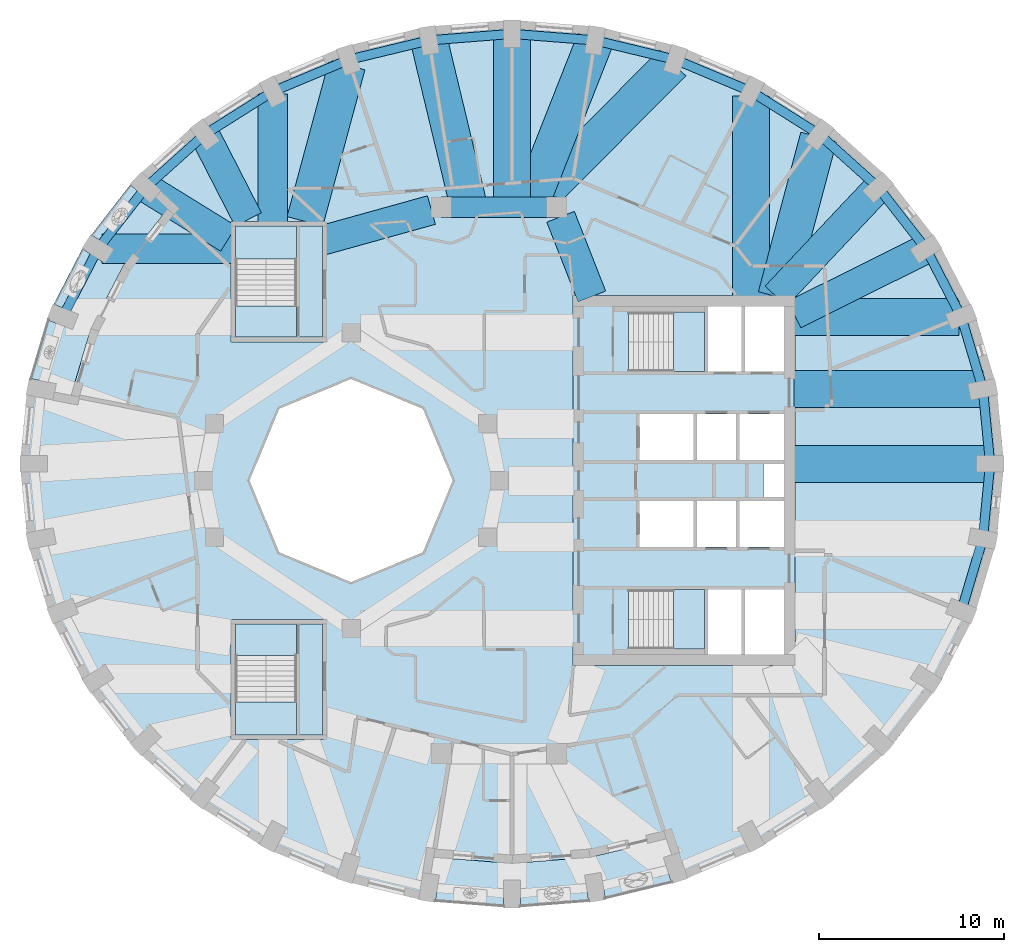
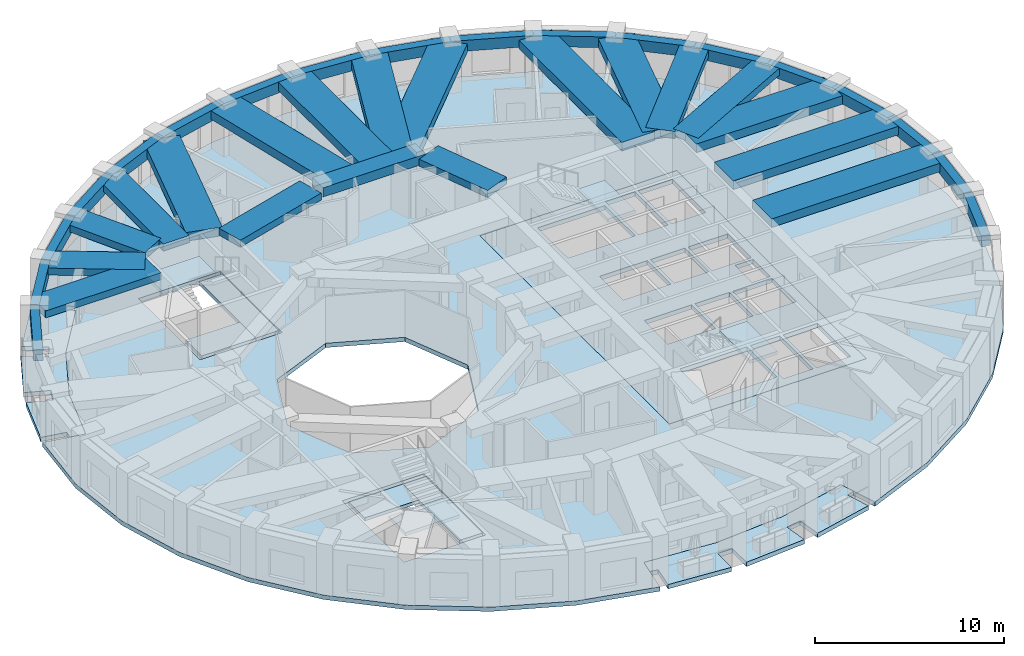
# One storey, part 2 of 12: 37 beams, 12 slabs, 4 elements without a shape of their own.
"""IFC4 building model written with IfcOpenShell, lengths in metres."""

from ifc_helpers import new_model, si_unit, direction, frame, origin, origin_2d, place, context, subcontext, project, spatial, polyline, rectangle, outline, extrude, material, layer, layer_set, material_profile, profile_set, type_object, element, aggregate, save


model = new_model("IFC4")

# Units and contexts
model_context = context("Model", 3, precision=1e-05, world=origin(), true_north=direction((0.0, 1.0)))
body_context = subcontext(model_context, "Body", "Model", "MODEL_VIEW")
ifc_project = project(units=[si_unit("LENGTHUNIT", "METRE"), si_unit("AREAUNIT", "SQUARE_METRE"), si_unit("VOLUMEUNIT", "CUBIC_METRE"), si_unit("PLANEANGLEUNIT", "RADIAN"), si_unit("MASSUNIT", "GRAM", prefix="KILO")], contexts=[model_context])

# Site, building, storey
site_placement = place(None, origin())
site = spatial("IfcSite", under=ifc_project, at=site_placement, CompositionType="ELEMENT")
building_placement = place(site_placement, origin())
building = spatial("IfcBuilding", under=site, at=building_placement, Name="Taillehof Tower", CompositionType="ELEMENT")
storey_placement = place(building_placement, frame((0.0, 0.0, 202.39990234375)))
storey = spatial("IfcBuildingStorey", under=building, at=storey_placement, Name="L57", CompositionType="ELEMENT", Elevation=202.39990234375)

# Beams
ifc_material_1 = material(Name="Concrete C50/60", Category="concrete")
ifc_material_profile_1 = material_profile(ifc_material_1, rectangle(XDim=1.10009765625, YDim=0.60009765625, at=origin_2d()), Name="RC 1100x600")
ifc_profile_set_1 = profile_set([ifc_material_profile_1], Name="Concrete C50/60")
beam_type_1 = type_object("IfcBeamType", Name="Mid-ring beam C50/60 1100x600", PredefinedType="BEAM", material=ifc_profile_set_1)
beam_1_placement = place(storey_placement, frame((3.125732421875, 14.772216796875, 2.72021484375), z_axis=(-1.0, 0.0, 0.0), x_axis=(0.0, -1.0, 0.0)))
element("IfcBeam", 1, at=beam_1_placement, inside=storey, type_object=beam_type_1, Name="Mid-ring beam MB01", PredefinedType="BEAM", context=body_context, shape_type="SweptSolid", body=[
    extrude(rectangle(XDim=1.10009765625, YDim=0.60009765625, at=origin_2d()), origin(), (0.0, 0.0, 1.0), 6.25146484375),
])
ifc_material_2 = material(Name="Concrete C50/60", Category="concrete")
ifc_material_profile_2 = material_profile(ifc_material_2, rectangle(XDim=1.60009765625, YDim=0.449951171875, at=origin_2d()), Name="RC 1600x450")
ifc_profile_set_2 = profile_set([ifc_material_profile_2], Name="Concrete C50/60")
beam_type_2 = type_object("IfcBeamType", Name="Radial band beam C50/60 1600x450", PredefinedType="BEAM", material=ifc_profile_set_2)
beam_2_placement = place(storey_placement, frame((23.086669921875, 12.52490234375, 2.795166015625), z_axis=(-0.895357082848, -0.445348957778, 0.0), x_axis=(0.445348957778, -0.895357082848, 0.0)))
element("IfcBeam", 2, at=beam_2_placement, inside=storey, type_object=beam_type_2, Name="Radial band beam RB04", PredefinedType="BEAM", context=body_context, shape_type="SweptSolid", body=[
    extrude(rectangle(XDim=1.60009765625, YDim=0.449951171875, at=origin_2d()), origin(), (0.0, 0.0, 1.0), 7.96484375),
])
beam_3_placement = place(storey_placement, frame((20.502197265625, 15.8447265625, 2.795166015625), z_axis=(-0.685451470964, -0.728118315217, 0.0), x_axis=(0.728118315217, -0.685451470964, 0.0)))
element("IfcBeam", 3, at=beam_3_placement, inside=storey, type_object=beam_type_2, Name="Radial band beam RB05", PredefinedType="BEAM", context=body_context, shape_type="SweptSolid", body=[
    extrude(rectangle(XDim=1.60009765625, YDim=0.449951171875, at=origin_2d()), origin(), (0.0, 0.0, 1.0), 8.07373046875),
])
beam_4_placement = place(storey_placement, frame((-12.22509765625, 20.9013671875, 2.795166015625), z_axis=(0.0, -1.0, 0.0), x_axis=(1.0, 0.0, 0.0)))
element("IfcBeam", 4, at=beam_4_placement, inside=storey, type_object=beam_type_2, Name="Radial band beam RB13", PredefinedType="BEAM", context=body_context, shape_type="SweptSolid", body=[
    extrude(rectangle(XDim=1.60009765625, YDim=0.449951171875, at=origin_2d()), origin(), (0.0, 0.0, 1.0), 6.951416015625),
])
beam_5_placement = place(storey_placement, frame((-15.916015625, 18.71044921875, 2.795166015625), z_axis=(0.456360793517, -0.889794822496, 0.0), x_axis=(0.889794822496, 0.456360793517, 0.0)))
element("IfcBeam", 5, at=beam_5_placement, inside=storey, type_object=beam_type_2, Name="Radial band beam RB14", PredefinedType="BEAM", context=body_context, shape_type="SweptSolid", body=[
    extrude(rectangle(XDim=1.60009765625, YDim=0.449951171875, at=origin_2d()), origin(), (0.0, 0.0, 1.0), 5.16455078125),
])
beam_6_placement = place(storey_placement, frame((-19.102294921875, 15.8447265625, 2.795166015625), z_axis=(0.850616081395, -0.525787297366, 0.0), x_axis=(0.525787297366, 0.850616081395, 0.0)))
element("IfcBeam", 6, at=beam_6_placement, inside=storey, type_object=beam_type_2, Name="Radial band beam RB15", PredefinedType="BEAM", context=body_context, shape_type="SweptSolid", body=[
    extrude(rectangle(XDim=1.60009765625, YDim=0.449951171875, at=origin_2d()), origin(), (0.0, 0.0, 1.0), 5.260498046875),
])
beam_7_placement = place(storey_placement, frame((-21.47021484375, 12.52490234375, 2.795166015625), z_axis=(1.0, 0.0, 0.0), x_axis=(0.0, 1.0, 0.0)))
element("IfcBeam", 7, at=beam_7_placement, inside=storey, type_object=beam_type_2, Name="Radial band beam RB16", PredefinedType="BEAM", context=body_context, shape_type="SweptSolid", body=[
    extrude(rectangle(XDim=1.60009765625, YDim=0.449951171875, at=origin_2d()), origin(), (0.0, 0.0, 1.0), 7.020263671875),
])
beam_8_placement = place(storey_placement, frame((3.32666015625, 14.26025390625, 2.795166015625), z_axis=(0.365588707223, -0.930776502255, 0.0), x_axis=(0.930776502255, 0.365588707223, 0.0)))
element("IfcBeam", 8, at=beam_8_placement, inside=storey, type_object=beam_type_2, Name="Inner band beam IB205", PredefinedType="BEAM", context=body_context, shape_type="SweptSolid", body=[
    extrude(rectangle(XDim=1.60009765625, YDim=0.449951171875, at=origin_2d()), origin(), (0.0, 0.0, 1.0), 4.627197265625),
])
beam_9_placement = place(storey_placement, frame((-3.655517578125, 14.624755859375, 2.795166015625), z_axis=(-0.963459369536, -0.267854518821, 0.0), x_axis=(0.267854518821, -0.963459369536, 0.0)))
element("IfcBeam", 9, at=beam_9_placement, inside=storey, type_object=beam_type_2, Name="Inner band beam IB206", PredefinedType="BEAM", context=body_context, shape_type="SweptSolid", body=[
    extrude(rectangle(XDim=1.60009765625, YDim=0.449951171875, at=origin_2d()), origin(), (0.0, 0.0, 1.0), 6.096923828125),
])
ifc_material_3 = material(Name="Concrete C50/60", Category="concrete")
ifc_material_profile_3 = material_profile(ifc_material_3, rectangle(XDim=2.0, YDim=0.550048828125, at=origin_2d()), Name="RC 2000x550")
ifc_profile_set_3 = profile_set([ifc_material_profile_3], Name="Concrete C50/60")
beam_type_3 = type_object("IfcBeamType", Name="Radial band beam C50/60 2000x550", PredefinedType="BEAM", material=ifc_profile_set_3)
beam_10_placement = place(storey_placement, frame((26.550048828125, 0.89990234375, 2.7451171875), z_axis=(-1.0, 0.0, 0.0), x_axis=(0.0, -1.0, 0.0)))
element("IfcBeam", 10, at=beam_10_placement, inside=storey, type_object=beam_type_3, Name="Radial band beam RB01", PredefinedType="BEAM", context=body_context, shape_type="SweptSolid", body=[
    extrude(rectangle(XDim=2.0, YDim=0.550048828125, at=origin_2d()), origin(), (0.0, 0.0, 1.0), 10.60009765625),
])
beam_11_placement = place(storey_placement, frame((26.1572265625, 4.937255859375, 2.7451171875), z_axis=(-1.0, 0.0, 0.0), x_axis=(0.0, -1.0, 0.0)))
element("IfcBeam", 11, at=beam_11_placement, inside=storey, type_object=beam_type_3, Name="Radial band beam RB02", PredefinedType="BEAM", context=body_context, shape_type="SweptSolid", body=[
    extrude(rectangle(XDim=2.0, YDim=0.550048828125, at=origin_2d()), origin(), (0.0, 0.0, 1.0), 10.207275390625),
])
beam_12_placement = place(storey_placement, frame((24.856201171875, 8.85205078125, 2.7451171875), z_axis=(-1.0, 0.0, 0.0), x_axis=(0.0, -1.0, 0.0)))
element("IfcBeam", 12, at=beam_12_placement, inside=storey, type_object=beam_type_3, Name="Radial band beam RB03", PredefinedType="BEAM", context=body_context, shape_type="SweptSolid", body=[
    extrude(rectangle(XDim=2.0, YDim=0.550048828125, at=origin_2d()), origin(), (0.0, 0.0, 1.0), 8.90625),
])
beam_13_placement = place(storey_placement, frame((17.28076171875, 18.577880859375, 2.7451171875), z_axis=(-0.256969711091, -0.966419457369, 0.0), x_axis=(0.966419457369, -0.256969711091, 0.0)))
element("IfcBeam", 13, at=beam_13_placement, inside=storey, type_object=beam_type_3, Name="Radial band beam RB06", PredefinedType="BEAM", context=body_context, shape_type="SweptSolid", body=[
    extrude(rectangle(XDim=2.0, YDim=0.550048828125, at=origin_2d()), origin(), (0.0, 0.0, 1.0), 8.926025390625),
])
beam_14_placement = place(storey_placement, frame((13.625, 20.797607421875, 2.7451171875), z_axis=(0.0, -1.0, 0.0), x_axis=(1.0, 0.0, 0.0)))
element("IfcBeam", 14, at=beam_14_placement, inside=storey, type_object=beam_type_3, Name="Radial band beam RB07", PredefinedType="BEAM", context=body_context, shape_type="SweptSolid", body=[
    extrude(rectangle(XDim=2.0, YDim=0.550048828125, at=origin_2d()), origin(), (0.0, 0.0, 1.0), 10.84765625),
])
beam_15_placement = place(storey_placement, frame((9.384765625, 22.590087890625, 2.7451171875), z_axis=(-0.704433609475, -0.709769885133, 0.0), x_axis=(0.709769885133, -0.704433609475, 0.0)))
element("IfcBeam", 15, at=beam_15_placement, inside=storey, type_object=beam_type_3, Name="Radial band beam RB08", PredefinedType="BEAM", context=body_context, shape_type="SweptSolid", body=[
    extrude(rectangle(XDim=2.0, YDim=0.550048828125, at=origin_2d()), origin(), (0.0, 0.0, 1.0), 10.79736328125),
])
beam_16_placement = place(storey_placement, frame((5.188720703125, 23.796875, 2.7451171875), z_axis=(-0.367222105753, -0.930133283485, 0.0), x_axis=(0.930133283485, -0.367222105753, 0.0)))
element("IfcBeam", 16, at=beam_16_placement, inside=storey, type_object=beam_type_3, Name="Radial band beam RB09", PredefinedType="BEAM", context=body_context, shape_type="SweptSolid", body=[
    extrude(rectangle(XDim=2.0, YDim=0.550048828125, at=origin_2d()), origin(), (0.0, 0.0, 1.0), 9.70263671875),
])
beam_17_placement = place(storey_placement, frame((0.699951171875, 24.14990234375, 2.7451171875), z_axis=(0.0, -1.0, 0.0), x_axis=(1.0, 0.0, 0.0)))
element("IfcBeam", 17, at=beam_17_placement, inside=storey, type_object=beam_type_3, Name="Radial band beam RB10", PredefinedType="BEAM", context=body_context, shape_type="SweptSolid", body=[
    extrude(rectangle(XDim=2.0, YDim=0.550048828125, at=origin_2d()), origin(), (0.0, 0.0, 1.0), 9.377685546875),
])
beam_18_placement = place(storey_placement, frame((-3.788818359375, 23.796875, 2.7451171875), z_axis=(0.233084395558, -0.972456510363, 0.0), x_axis=(0.972456510363, 0.233084395558, 0.0)))
element("IfcBeam", 18, at=beam_18_placement, inside=storey, type_object=beam_type_3, Name="Radial band beam RB11", PredefinedType="BEAM", context=body_context, shape_type="SweptSolid", body=[
    extrude(rectangle(XDim=2.0, YDim=0.550048828125, at=origin_2d()), origin(), (0.0, 0.0, 1.0), 9.2802734375),
])
beam_19_placement = place(storey_placement, frame((-8.2177734375, 22.464111328125, 2.7451171875), z_axis=(-0.260346436551, -0.965515268121, 0.0), x_axis=(0.965515268121, -0.260346436551, 0.0)))
element("IfcBeam", 19, at=beam_19_placement, inside=storey, type_object=beam_type_3, Name="Radial band beam RB12", PredefinedType="BEAM", context=body_context, shape_type="SweptSolid", body=[
    extrude(rectangle(XDim=2.0, YDim=0.550048828125, at=origin_2d()), origin(), (0.0, 0.0, 1.0), 8.755859375),
])
ifc_material_4 = material(Name="Concrete C50/60", Category="concrete")
ifc_material_profile_4 = material_profile(ifc_material_4, rectangle(XDim=0.5, YDim=0.699951171875, at=origin_2d()), Name="RC 500x700")
ifc_profile_set_4 = profile_set([ifc_material_profile_4], Name="Concrete C50/60")
beam_type_4 = type_object("IfcBeamType", Name="Spandrel beam C50/60 500x700", PredefinedType="SPANDREL", material=ifc_profile_set_4)
beam_20_placement = place(storey_placement, frame((26.550048828125, 0.89990234375, 2.670166015625), z_axis=(-0.096839674059, 0.995299993735, 0.0), x_axis=(-0.995299993735, -0.096839674059, 0.0)))
element("IfcBeam", 20, at=beam_20_placement, inside=storey, type_object=beam_type_4, Name="Spandrel beam SB01", PredefinedType="SPANDREL", context=body_context, shape_type="SweptSolid", body=[
    extrude(rectangle(XDim=0.5, YDim=0.699951171875, at=origin_2d()), origin(), (0.0, 0.0, 1.0), 4.056396484375),
])
beam_21_placement = place(storey_placement, frame((26.1572265625, 4.937255859375, 2.670166015625), z_axis=(-0.285510458946, 0.9583755933, 0.0), x_axis=(-0.9583755933, -0.285510458946, 0.0)))
element("IfcBeam", 21, at=beam_21_placement, inside=storey, type_object=beam_type_4, Name="Spandrel beam SB02", PredefinedType="SPANDREL", context=body_context, shape_type="SweptSolid", body=[
    extrude(rectangle(XDim=0.5, YDim=0.699951171875, at=origin_2d()), origin(), (0.0, 0.0, 1.0), 4.084716796875),
])
beam_22_placement = place(storey_placement, frame((24.990966796875, 8.85205078125, 2.670166015625), z_axis=(-0.460289604274, 0.887768821371, 0.0), x_axis=(-0.887768821371, -0.460289604274, 0.0)))
element("IfcBeam", 22, at=beam_22_placement, inside=storey, type_object=beam_type_4, Name="Spandrel beam SB03", PredefinedType="SPANDREL", context=body_context, shape_type="SweptSolid", body=[
    extrude(rectangle(XDim=0.5, YDim=0.699951171875, at=origin_2d()), origin(), (0.0, 0.0, 1.0), 4.13720703125),
])
beam_23_placement = place(storey_placement, frame((23.086669921875, 12.52490234375, 2.670166015625), z_axis=(-0.614294081938, 0.789077170432, 0.0), x_axis=(-0.789077170432, -0.614294081938, 0.0)))
element("IfcBeam", 23, at=beam_23_placement, inside=storey, type_object=beam_type_4, Name="Spandrel beam SB04", PredefinedType="SPANDREL", context=body_context, shape_type="SweptSolid", body=[
    extrude(rectangle(XDim=0.5, YDim=0.699951171875, at=origin_2d()), origin(), (0.0, 0.0, 1.0), 4.207275390625),
])
beam_24_placement = place(storey_placement, frame((20.502197265625, 15.8447265625, 2.670166015625), z_axis=(-0.743492416006, 0.668744366213, 0.0), x_axis=(-0.668744366213, -0.743492416006, 0.0)))
element("IfcBeam", 24, at=beam_24_placement, inside=storey, type_object=beam_type_4, Name="Spandrel beam SB05", PredefinedType="SPANDREL", context=body_context, shape_type="SweptSolid", body=[
    extrude(rectangle(XDim=0.5, YDim=0.699951171875, at=origin_2d()), origin(), (0.0, 0.0, 1.0), 4.28515625),
])
beam_25_placement = place(storey_placement, frame((17.316162109375, 18.71044921875, 2.670166015625), z_axis=(-0.846166475687, 0.532918657417, 0.0), x_axis=(-0.532918657417, -0.846166475687, 0.0)))
element("IfcBeam", 25, at=beam_25_placement, inside=storey, type_object=beam_type_4, Name="Spandrel beam SB06", PredefinedType="SPANDREL", context=body_context, shape_type="SweptSolid", body=[
    extrude(rectangle(XDim=0.5, YDim=0.699951171875, at=origin_2d()), origin(), (0.0, 0.0, 1.0), 4.3623046875),
])
beam_26_placement = place(storey_placement, frame((13.625, 21.03515625, 2.670166015625), z_axis=(-0.92218550199, 0.386747850569, 0.0), x_axis=(-0.386747850569, -0.92218550199, 0.0)))
element("IfcBeam", 26, at=beam_26_placement, inside=storey, type_object=beam_type_4, Name="Spandrel beam SB07", PredefinedType="SPANDREL", context=body_context, shape_type="SweptSolid", body=[
    extrude(rectangle(XDim=0.5, YDim=0.699951171875, at=origin_2d()), origin(), (0.0, 0.0, 1.0), 4.42822265625),
])
beam_27_placement = place(storey_placement, frame((9.541259765625, 22.747802734375, 2.670166015625), z_axis=(-0.972160640613, 0.234315361943, 0.0), x_axis=(-0.234315361943, -0.972160640613, 0.0)))
element("IfcBeam", 27, at=beam_27_placement, inside=storey, type_object=beam_type_4, Name="Spandrel beam SB08", PredefinedType="SPANDREL", context=body_context, shape_type="SweptSolid", body=[
    extrude(rectangle(XDim=0.5, YDim=0.699951171875, at=origin_2d()), origin(), (0.0, 0.0, 1.0), 4.477294921875),
])
for number, where, z_axis, x_axis, name in (
    (28, (5.188720703125, 23.796875, 2.670166015625), (-0.996921613963, 0.078404691275, 0.0), (-0.078404691275, -0.996921613963, 0.0), "Spandrel beam SB09"),
    (29, (0.699951171875, 24.14990234375, 2.670166015625), (-0.996921613963, -0.078404691275, 0.0), (0.078404691275, -0.996921613963, 0.0), "Spandrel beam SB10"),
):
    element("IfcBeam", number, at=place(storey_placement, frame(where, z_axis=z_axis, x_axis=x_axis)), inside=storey, type_object=beam_type_4, Name=name, PredefinedType="SPANDREL", context=body_context, shape_type="SweptSolid", body=[
        extrude(rectangle(XDim=0.5, YDim=0.699951171875, at=origin_2d()), origin(), (0.0, 0.0, 1.0), 4.502685546875),
    ])
beam_28_placement = place(storey_placement, frame((-3.788818359375, 23.796875, 2.670166015625), z_axis=(-0.972157646478, -0.234327784087, 0.0), x_axis=(0.234327784087, -0.972157646478, 0.0)))
element("IfcBeam", 30, at=beam_28_placement, inside=storey, type_object=beam_type_4, Name="Spandrel beam SB11", PredefinedType="SPANDREL", context=body_context, shape_type="SweptSolid", body=[
    extrude(rectangle(XDim=0.5, YDim=0.699951171875, at=origin_2d()), origin(), (0.0, 0.0, 1.0), 4.47705078125),
])
beam_29_placement = place(storey_placement, frame((-8.14111328125, 22.747802734375, 2.670166015625), z_axis=(-0.922193747603, -0.386728188632, 0.0), x_axis=(0.386728188632, -0.922193747603, 0.0)))
element("IfcBeam", 31, at=beam_29_placement, inside=storey, type_object=beam_type_4, Name="Spandrel beam SB12", PredefinedType="SPANDREL", context=body_context, shape_type="SweptSolid", body=[
    extrude(rectangle(XDim=0.5, YDim=0.699951171875, at=origin_2d()), origin(), (0.0, 0.0, 1.0), 4.428466796875),
])
beam_30_placement = place(storey_placement, frame((-12.22509765625, 21.03515625, 2.670166015625), z_axis=(-0.846150579775, -0.532943896059, 0.0), x_axis=(0.532943896059, -0.846150579775, 0.0)))
element("IfcBeam", 32, at=beam_30_placement, inside=storey, type_object=beam_type_4, Name="Spandrel beam SB13", PredefinedType="SPANDREL", context=body_context, shape_type="SweptSolid", body=[
    extrude(rectangle(XDim=0.5, YDim=0.699951171875, at=origin_2d()), origin(), (0.0, 0.0, 1.0), 4.362060546875),
])
beam_31_placement = place(storey_placement, frame((-15.916015625, 18.71044921875, 2.670166015625), z_axis=(-0.743517893617, -0.668716039789, 0.0), x_axis=(0.668716039789, -0.743517893617, 0.0)))
element("IfcBeam", 33, at=beam_31_placement, inside=storey, type_object=beam_type_4, Name="Spandrel beam SB14", PredefinedType="SPANDREL", context=body_context, shape_type="SweptSolid", body=[
    extrude(rectangle(XDim=0.5, YDim=0.699951171875, at=origin_2d()), origin(), (0.0, 0.0, 1.0), 4.285400390625),
])
beam_32_placement = place(storey_placement, frame((-19.102294921875, 15.8447265625, 2.670166015625), z_axis=(-0.614294081938, -0.789077170432, 0.0), x_axis=(0.789077170432, -0.614294081938, 0.0)))
element("IfcBeam", 34, at=beam_32_placement, inside=storey, type_object=beam_type_4, Name="Spandrel beam SB15", PredefinedType="SPANDREL", context=body_context, shape_type="SweptSolid", body=[
    extrude(rectangle(XDim=0.5, YDim=0.699951171875, at=origin_2d()), origin(), (0.0, 0.0, 1.0), 4.207275390625),
])
beam_33_placement = place(storey_placement, frame((-21.686767578125, 12.52490234375, 2.670166015625), z_axis=(-0.460289604274, -0.887768821371, 0.0), x_axis=(0.887768821371, -0.460289604274, 0.0)))
element("IfcBeam", 35, at=beam_33_placement, inside=storey, type_object=beam_type_4, Name="Spandrel beam SB16", PredefinedType="SPANDREL", context=body_context, shape_type="SweptSolid", body=[
    extrude(rectangle(XDim=0.5, YDim=0.699951171875, at=origin_2d()), origin(), (0.0, 0.0, 1.0), 4.13720703125),
])
beam_34_placement = place(storey_placement, frame((24.990966796875, -7.052001953125, 2.670166015625), z_axis=(0.285510458946, 0.9583755933, 0.0), x_axis=(-0.9583755933, 0.285510458946, 0.0)))
element("IfcBeam", 36, at=beam_34_placement, inside=storey, type_object=beam_type_4, Name="Spandrel beam SB35", PredefinedType="SPANDREL", context=body_context, shape_type="SweptSolid", body=[
    extrude(rectangle(XDim=0.5, YDim=0.699951171875, at=origin_2d()), origin(), (0.0, 0.0, 1.0), 4.084716796875),
])
beam_35_placement = place(storey_placement, frame((26.1572265625, -3.13720703125, 2.670166015625), z_axis=(0.096845475428, 0.995299429262, 0.0), x_axis=(-0.995299429262, 0.096845475428, 0.0)))
element("IfcBeam", 37, at=beam_35_placement, inside=storey, type_object=beam_type_4, Name="Spandrel beam SB36", PredefinedType="SPANDREL", context=body_context, shape_type="SweptSolid", body=[
    extrude(rectangle(XDim=0.5, YDim=0.699951171875, at=origin_2d()), origin(), (0.0, 0.0, 1.0), 4.05615234375),
])

# Slabs
ifc_material_5 = material(Name="Concrete C40/50", Category="concrete")
ifc_layer_1 = layer(ifc_material_5, 0.280029296875)
ifc_layer_set_1 = layer_set([ifc_layer_1], Name="Balcony slab 280")
slab_type_1 = type_object("IfcSlabType", Name="Balcony slab 280", PredefinedType="USERDEFINED", material=ifc_layer_set_1)
slab_1_placement = place(storey_placement, frame((0.0, 0.0, -0.27978515625)))
element("IfcSlab", 38, at=slab_1_placement, inside=storey, type_object=slab_type_1, Name="Balcony L57 pocket 4", ObjectType="BALCONY", PredefinedType="USERDEFINED", context=body_context, shape_type="SweptSolid", body=[
    extrude(outline(polyline([(-23.140380859375, 4.607177734375), (-24.02392578125, 4.77978515625), (-23.934814453125, 5.235107421875), (-25.36328125, 5.51416015625), (-24.417236328125, 8.699951171875), (-23.06396484375, 8.154052734375), (-22.72705078125, 8.98876953125), (-24.076416015625, 9.532958984375), (-22.528076171875, 12.529052734375), (-21.297607421875, 11.74169921875), (-20.8125, 12.499755859375), (-22.0380859375, 13.2841796875), (-19.93017578125, 16.000244140625), (-18.859619140625, 15.004638671875), (-18.5791015625, 15.30615234375), (-17.91943359375, 14.6923828125), (-20.314697265625, 11.6064453125), (-22.070068359375, 8.210693359375), (-23.140380859375, 4.607177734375)])), origin(), (0.0, 0.0, 1.0), 0.27978515625),
])
slab_2_placement = place(storey_placement, frame((0.0, 0.0, -0.27978515625)))
element("IfcSlab", 39, at=slab_2_placement, inside=storey, type_object=slab_type_1, Name="Balcony L57 pocket 8", ObjectType="BALCONY", PredefinedType="USERDEFINED", context=body_context, shape_type="SweptSolid", body=[
    extrude(outline(polyline([(9.048828125, -19.372314453125), (9.329833984375, -20.227783203125), (8.879638671875, -20.375732421875), (9.335693359375, -21.764404296875), (5.74560546875, -22.63232421875), (5.515380859375, -21.185302734375), (4.62646484375, -21.326904296875), (4.8564453125, -22.77197265625), (1.14990234375, -23.064453125), (1.14990234375, -21.60009765625), (0.25, -21.60009765625), (0.25, -23.064453125), (-3.45654296875, -22.77197265625), (-3.2265625, -21.326904296875), (-3.683349609375, -21.254150390625), (-3.5419921875, -20.365234375), (0.699951171875, -20.699951171875), (4.94189453125, -20.365234375), (9.048828125, -19.372314453125)])), origin(), (0.0, 0.0, 1.0), 0.27978515625),
])
ifc_material_6 = material(Name="Concrete C40/50", Category="concrete")
ifc_layer_2 = layer(ifc_material_6, 0.280029296875)
ifc_layer_set_2 = layer_set([ifc_layer_2], Name="Core floor slab C40/50 280")
slab_type_2 = type_object("IfcSlabType", Name="Core floor slab C40/50 280", PredefinedType="FLOOR", material=ifc_layer_set_2)
slab_3_placement = place(storey_placement, frame((0.0, 0.0, -0.27978515625)))
element("IfcSlab", 40, at=slab_3_placement, inside=storey, type_object=slab_type_2, Name="Core floor L57", PredefinedType="FLOOR", context=body_context, shape_type="SweptSolid", body=[
    extrude(outline(polyline([(4.0, -10.0), (4.0, 10.0), (16.0, 10.0), (16.0, -10.0), (4.0, -10.0)]), holes=[polyline([(11.10009765625, -9.10009765625), (11.10009765625, -5.89990234375), (7.00048828125, -5.89990234375), (7.00048828125, -9.10009765625), (11.10009765625, -9.10009765625)]), polyline([(10.5, -3.60009765625), (10.5, -1.10009765625), (7.60009765625, -1.10009765625), (7.60009765625, -3.60009765625), (10.5, -3.60009765625)]), polyline([(12.800048828125, -3.60009765625), (12.800048828125, -1.10009765625), (10.699951171875, -1.10009765625), (10.699951171875, -3.60009765625), (12.800048828125, -3.60009765625)]), polyline([(10.5, 3.60009765625), (7.60009765625, 3.60009765625), (7.60009765625, 1.10009765625), (10.5, 1.10009765625), (10.5, 3.60009765625)]), polyline([(12.800048828125, 1.10009765625), (12.800048828125, 3.60009765625), (10.699951171875, 3.60009765625), (10.699951171875, 1.10009765625), (12.800048828125, 1.10009765625)]), polyline([(11.10009765625, 5.89990234375), (11.10009765625, 9.10009765625), (7.00048828125, 9.10009765625), (7.00048828125, 5.89990234375), (11.10009765625, 5.89990234375)]), polyline([(13.10009765625, 9.39990234375), (11.300048828125, 9.39990234375), (11.300048828125, 5.89990234375), (13.10009765625, 5.89990234375), (13.10009765625, 9.39990234375)]), polyline([(13.10009765625, -9.39990234375), (13.10009765625, -5.89990234375), (11.300048828125, -5.89990234375), (11.300048828125, -9.39990234375), (13.10009765625, -9.39990234375)]), polyline([(15.39990234375, -9.39990234375), (15.39990234375, -5.89990234375), (13.300048828125, -5.89990234375), (13.300048828125, -9.39990234375), (15.39990234375, -9.39990234375)]), polyline([(15.39990234375, -3.60009765625), (15.39990234375, -1.10009765625), (13.0, -1.10009765625), (13.0, -3.60009765625), (15.39990234375, -3.60009765625)]), polyline([(15.39990234375, -0.89990234375), (15.39990234375, 0.89990234375), (14.300048828125, 0.89990234375), (14.300048828125, -0.89990234375), (15.39990234375, -0.89990234375)]), polyline([(15.39990234375, 1.10009765625), (15.39990234375, 3.60009765625), (13.0, 3.60009765625), (13.0, 1.10009765625), (15.39990234375, 1.10009765625)]), polyline([(15.39990234375, 5.89990234375), (15.39990234375, 9.39990234375), (13.300048828125, 9.39990234375), (13.300048828125, 5.89990234375), (15.39990234375, 5.89990234375)])]), origin(), (0.0, 0.0, 1.0), 0.27978515625),
])
ifc_material_7 = material(Name="Concrete C40/50", Category="concrete")
ifc_layer_3 = layer(ifc_material_7, 0.280029296875)
ifc_layer_set_3 = layer_set([ifc_layer_3], Name="Floor slab 280")
slab_type_3 = type_object("IfcSlabType", Name="Floor slab 280", PredefinedType="FLOOR", material=ifc_layer_set_3)
slab_4_placement = place(storey_placement, frame((0.0, 0.0, -0.27978515625)))
element("IfcSlab", 41, at=slab_4_placement, inside=storey, type_object=slab_type_3, Name="Floor slab L57", PredefinedType="FLOOR", context=body_context, shape_type="SweptSolid", body=[
    extrude(outline(polyline([(27.300048828125, 0.89990234375), (26.89599609375, 5.067626953125), (25.69580078125, 9.1083984375), (23.736328125, 12.89990234375), (21.076904296875, 16.326904296875), (17.798095703125, 19.28515625), (14.0, 21.6845703125), (9.797607421875, 23.45263671875), (5.319091796875, 24.535400390625), (0.699951171875, 24.89990234375), (-3.9189453125, 24.535400390625), (-8.397705078125, 23.45263671875), (-12.60009765625, 21.6845703125), (-16.398193359375, 19.28515625), (-19.6767578125, 16.326904296875), (-17.919189453125, 14.6923828125), (-20.314697265625, 11.6064453125), (-22.070068359375, 8.210693359375), (-23.140380859375, 4.607177734375), (-25.495849609375, 5.067626953125), (-25.89990234375, 0.89990234375), (-25.495849609375, -3.267578125), (-24.2958984375, -7.30859375), (-22.336181640625, -11.10009765625), (-19.6767578125, -14.52685546875), (-16.398193359375, -17.485107421875), (-12.60009765625, -19.884521484375), (-8.397705078125, -21.652587890625), (-3.9189453125, -22.7353515625), (-3.5419921875, -20.365234375), (0.699951171875, -20.699951171875), (4.94189453125, -20.365234375), (9.048828125, -19.372314453125), (9.797607421875, -21.652587890625), (14.0, -19.884521484375), (17.798095703125, -17.485107421875), (21.076904296875, -14.52685546875), (23.736328125, -11.10009765625), (25.69580078125, -7.30859375), (26.89599609375, -3.267578125), (27.300048828125, 0.89990234375)]), holes=[polyline([(-14.5, -7.5), (-9.5, -7.5), (-9.5, -14.0), (-14.5, -14.0), (-14.5, -7.5)]), polyline([(-8.0, -5.5), (-11.88916015625, -3.88916015625), (-13.5, 0.0), (-11.88916015625, 3.88916015625), (-8.0, 5.5), (-4.11083984375, 3.88916015625), (-2.5, 0.0), (-4.11083984375, -3.88916015625), (-8.0, -5.5)]), polyline([(16.0, 10.0), (16.0, -10.0), (4.0, -10.0), (4.0, 10.0), (16.0, 10.0)]), polyline([(-14.5, 14.0), (-9.5, 14.0), (-9.5, 7.5), (-14.5, 7.5), (-14.5, 14.0)])]), origin(), (0.0, 0.0, 1.0), 0.27978515625),
])

# Stair, slab
ifc_material_8 = material(Name="Concrete C40/50", Category="concrete")
stair_type = type_object("IfcStairType", Name="Exit stair half-turn", PredefinedType="HALF_TURN_STAIR", material=ifc_material_8)
stair_1_placement = place(storey_placement, origin())
stair_1 = element("IfcStair", 42, at=stair_1_placement, inside=storey, type_object=stair_type, Name="Exit stair S1", PredefinedType="HALF_TURN_STAIR")
ifc_material_9 = material(Name="Concrete C40/50", Category="concrete")
ifc_layer_4 = layer(ifc_material_9, 0.2099609375)
ifc_layer_set_4 = layer_set([ifc_layer_4], Name="Stair landing C40/50 210")
slab_type_4 = type_object("IfcSlabType", Name="Stair landing C40/50 210", PredefinedType="LANDING", material=ifc_layer_set_4)
slab_5_placement = place(storey_placement, frame((0.0, 0.0, 1.440185546875)))
slab_5 = element("IfcSlab", 43, at=slab_5_placement, type_object=slab_type_4, Name="S1 landing 1", PredefinedType="LANDING", context=body_context, shape_type="SweptSolid", body=[
    extrude(outline(polyline([(9.429931640625, 5.89990234375), (11.10009765625, 5.89990234375), (11.10009765625, 9.10009765625), (9.429931640625, 9.10009765625), (9.429931640625, 5.89990234375)])), origin(), (0.0, 0.0, 1.0), 0.2099609375),
])
aggregate(stair_1, [slab_5])

stair_2_placement = place(storey_placement, origin())
stair_2 = element("IfcStair", 44, at=stair_2_placement, inside=storey, type_object=stair_type, Name="Exit stair S2", PredefinedType="HALF_TURN_STAIR")
slab_6_placement = place(storey_placement, frame((0.0, 0.0, 1.440185546875)))
slab_6 = element("IfcSlab", 45, at=slab_6_placement, type_object=slab_type_4, Name="S2 landing 1", PredefinedType="LANDING", context=body_context, shape_type="SweptSolid", body=[
    extrude(outline(polyline([(9.429931640625, -5.89990234375), (11.10009765625, -5.89990234375), (11.10009765625, -9.10009765625), (9.429931640625, -9.10009765625), (9.429931640625, -5.89990234375)])), origin(), (0.0, 0.0, 1.0), 0.2099609375),
])
aggregate(stair_2, [slab_6])

stair_3_placement = place(storey_placement, origin())
stair_3 = element("IfcStair", 46, at=stair_3_placement, inside=storey, type_object=stair_type, Name="Exit stair S3", PredefinedType="HALF_TURN_STAIR")
slab_7_placement = place(storey_placement, frame((0.0, 0.0, 1.440185546875)))
slab_7 = element("IfcSlab", 47, at=slab_7_placement, type_object=slab_type_4, Name="S3 landing 1", PredefinedType="LANDING", context=body_context, shape_type="SweptSolid", body=[
    extrude(outline(polyline([(-14.25, 11.969970703125), (-14.25, 13.75), (-10.949951171875, 13.75), (-10.949951171875, 11.969970703125), (-14.25, 11.969970703125)])), origin(), (0.0, 0.0, 1.0), 0.2099609375),
])
aggregate(stair_3, [slab_7])

stair_4_placement = place(storey_placement, origin())
stair_4 = element("IfcStair", 48, at=stair_4_placement, inside=storey, type_object=stair_type, Name="Exit stair S4", PredefinedType="HALF_TURN_STAIR")
slab_8_placement = place(storey_placement, frame((0.0, 0.0, 1.440185546875)))
slab_8 = element("IfcSlab", 49, at=slab_8_placement, type_object=slab_type_4, Name="S4 landing 1", PredefinedType="LANDING", context=body_context, shape_type="SweptSolid", body=[
    extrude(outline(polyline([(-14.25, -11.969970703125), (-14.25, -13.75), (-10.949951171875, -13.75), (-10.949951171875, -11.969970703125), (-14.25, -11.969970703125)])), origin(), (0.0, 0.0, 1.0), 0.2099609375),
])
aggregate(stair_4, [slab_8])

# Slabs
slab_9_placement = place(storey_placement, frame((0.0, 0.0, -0.2099609375)))
element("IfcSlab", 50, at=slab_9_placement, inside=storey, type_object=slab_type_4, Name="Stair S3 floor landing", PredefinedType="LANDING", context=body_context, shape_type="SweptSolid", body=[
    extrude(outline(polyline([(-14.25, 7.75), (-14.25, 9.449951171875), (-10.949951171875, 9.449951171875), (-10.949951171875, 7.75), (-14.25, 7.75)])), origin(), (0.0, 0.0, 1.0), 0.2099609375),
])
slab_10_placement = place(storey_placement, frame((0.0, 0.0, -0.2099609375)))
element("IfcSlab", 51, at=slab_10_placement, inside=storey, type_object=slab_type_4, Name="Stair lobby S3 floor", PredefinedType="LANDING", context=body_context, shape_type="SweptSolid", body=[
    extrude(outline(polyline([(-10.949951171875, 7.75), (-9.550048828125, 7.75), (-9.550048828125, 13.75), (-10.949951171875, 13.75), (-10.949951171875, 7.75)])), origin(), (0.0, 0.0, 1.0), 0.2099609375),
])
slab_11_placement = place(storey_placement, frame((0.0, 0.0, -0.2099609375)))
element("IfcSlab", 52, at=slab_11_placement, inside=storey, type_object=slab_type_4, Name="Stair S4 floor landing", PredefinedType="LANDING", context=body_context, shape_type="SweptSolid", body=[
    extrude(outline(polyline([(-14.25, -7.75), (-14.25, -9.449951171875), (-10.949951171875, -9.449951171875), (-10.949951171875, -7.75), (-14.25, -7.75)])), origin(), (0.0, 0.0, 1.0), 0.2099609375),
])
slab_12_placement = place(storey_placement, frame((0.0, 0.0, -0.2099609375)))
element("IfcSlab", 53, at=slab_12_placement, inside=storey, type_object=slab_type_4, Name="Stair lobby S4 floor", PredefinedType="LANDING", context=body_context, shape_type="SweptSolid", body=[
    extrude(outline(polyline([(-10.949951171875, -13.75), (-9.550048828125, -13.75), (-9.550048828125, -7.75), (-10.949951171875, -7.75), (-10.949951171875, -13.75)])), origin(), (0.0, 0.0, 1.0), 0.2099609375),
])

save(model, "model.ifc")
